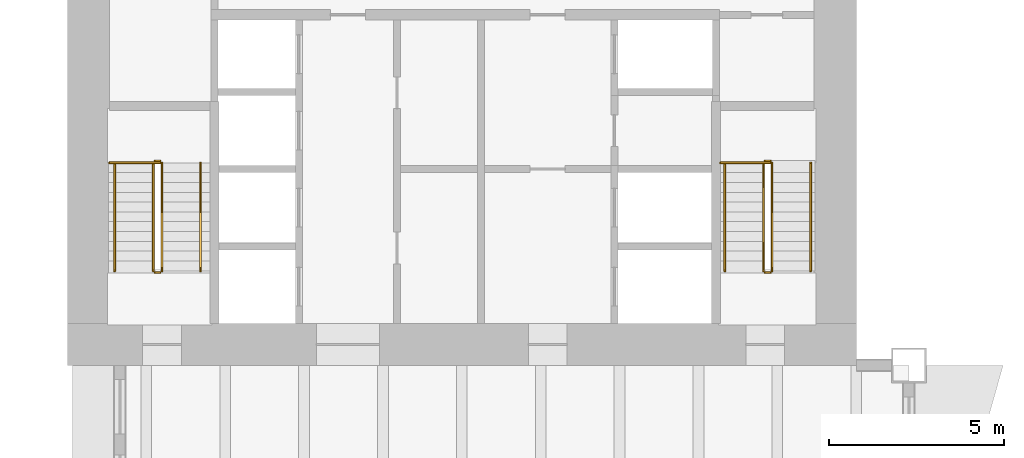
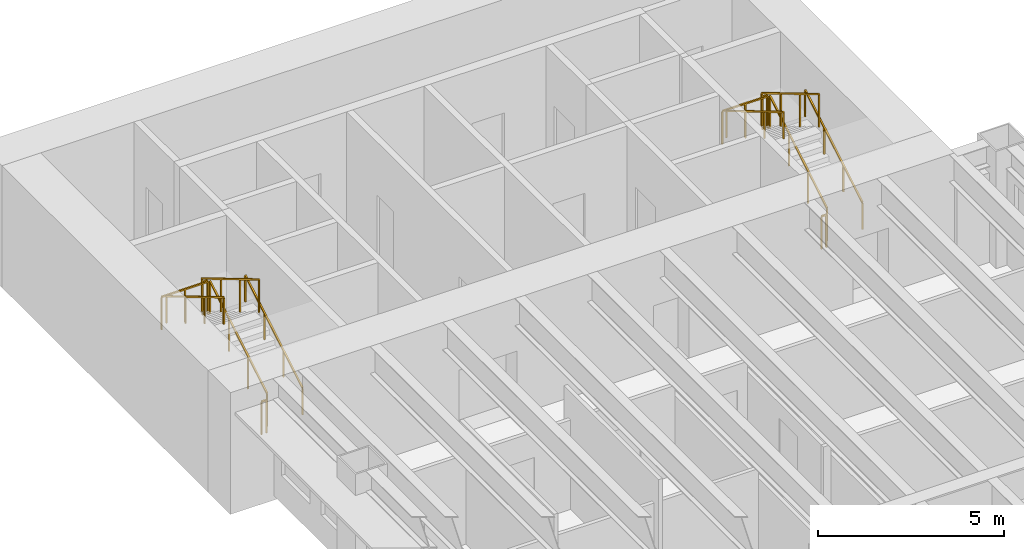
# One storey, part 16 of 16: 14 railings.
"""IFC4 building model written with IfcOpenShell, lengths in metres."""

from ifc_helpers import new_model, si_unit, direction, frame, origin, origin_2d, place, context, subcontext, project, spatial, rectangle, extrude, material, type_object, element, save


model = new_model("IFC4")

# Units and contexts
model_context = context("Model", 3, precision=1e-05, world=origin(), true_north=direction((0.0, 1.0)))
body_context = subcontext(model_context, "Body", "Model", "MODEL_VIEW")
ifc_project = project(units=[si_unit("LENGTHUNIT", "METRE"), si_unit("AREAUNIT", "SQUARE_METRE"), si_unit("VOLUMEUNIT", "CUBIC_METRE"), si_unit("PLANEANGLEUNIT", "RADIAN"), si_unit("MASSUNIT", "GRAM", prefix="KILO")], contexts=[model_context])

# Site, building, storey
site_placement = place(None, origin())
site = spatial("IfcSite", under=ifc_project, at=site_placement, CompositionType="ELEMENT")
building_placement = place(site_placement, origin())
building = spatial("IfcBuilding", under=site, at=building_placement, Name="Sennacour Bend Tower", CompositionType="ELEMENT")
storey_placement = place(building_placement, frame((0.0, 0.0, 87.0)))
storey = spatial("IfcBuildingStorey", under=building, at=storey_placement, Name="L19", CompositionType="ELEMENT", Elevation=87.0)

# Railings
ifc_material = material(Name="Stainless steel", Category="steel")
railing_type_1 = type_object("IfcRailingType", Name="RL-GUARD-1100", PredefinedType="GUARDRAIL", material=ifc_material)
railing_1_placement = place(storey_placement, frame((2.699951171875, 38.699951171875, 0.166748046875)))
element("IfcRailing", 1, at=railing_1_placement, inside=storey, type_object=railing_type_1, Name="L19 SB1 stair guard 1", PredefinedType="GUARDRAIL", context=body_context, shape_type="SweptSolid", body=[
    extrude(rectangle(XDim=0.048095703125, YDim=0.048095703125, at=origin_2d()), frame((0.0, 0.0, 1.076171875), z_axis=(0.0, 0.859308565015, 0.511457515432), x_axis=(-1.0, 0.0, 0.0)), (0.0, 0.0, 1.0), 3.58447265625),
    extrude(rectangle(XDim=0.0419921875, YDim=0.0419921875, at=origin_2d()), origin(), (0.0, 0.0, 1.0), 1.052001953125),
    extrude(rectangle(XDim=0.0419921875, YDim=0.0419921875, at=origin_2d()), frame((0.0, 1.026611328125, 0.611083984375)), (0.0, 0.0, 1.0), 1.052001953125),
    extrude(rectangle(XDim=0.0419921875, YDim=0.0419921875, at=origin_2d()), frame((0.0, 2.053466796875, 1.22216796875)), (0.0, 0.0, 1.0), 1.052001953125),
    extrude(rectangle(XDim=0.0419921875, YDim=0.0419921875, at=origin_2d()), frame((0.0, 3.080078125, 1.833251953125)), (0.0, 0.0, 1.0), 1.052001953125),
])
railing_2_placement = place(storey_placement, frame((2.64990234375, 41.830078125, 2.0)))
element("IfcRailing", 2, at=railing_2_placement, inside=storey, type_object=railing_type_1, Name="L19 SB1 stair guard 2", PredefinedType="GUARDRAIL", context=body_context, shape_type="SweptSolid", body=[
    extrude(rectangle(XDim=0.048095703125, YDim=0.048095703125, at=origin_2d()), frame((0.0, 0.0, 1.076171875), z_axis=(-1.0, 0.0, 0.0), x_axis=(0.0, -1.0, 0.0)), (0.0, 0.0, 1.0), 0.14990234375),
    extrude(rectangle(XDim=0.0419921875, YDim=0.0419921875, at=origin_2d()), origin(), (0.0, 0.0, 1.0), 1.052001953125),
    extrude(rectangle(XDim=0.0419921875, YDim=0.0419921875, at=origin_2d()), frame((-0.14990234375, 0.0, 0.0)), (0.0, 0.0, 1.0), 1.052001953125),
])
railing_3_placement = place(storey_placement, frame((2.449951171875, 41.780029296875, 2.166748046875)))
element("IfcRailing", 3, at=railing_3_placement, inside=storey, type_object=railing_type_1, Name="L19 SB1 stair guard 4", PredefinedType="GUARDRAIL", context=body_context, shape_type="SweptSolid", body=[
    extrude(rectangle(XDim=0.048095703125, YDim=0.048095703125, at=origin_2d()), frame((0.0, 0.0, 1.076171875), z_axis=(0.0, -0.859308565015, 0.511457515432), x_axis=(1.0, 0.0, 0.0)), (0.0, 0.0, 1.0), 3.58447265625),
    extrude(rectangle(XDim=0.0419921875, YDim=0.0419921875, at=origin_2d()), origin(), (0.0, 0.0, 1.0), 1.052001953125),
    extrude(rectangle(XDim=0.0419921875, YDim=0.0419921875, at=origin_2d()), frame((0.0, -1.026611328125, 0.611083984375)), (0.0, 0.0, 1.0), 1.052001953125),
    extrude(rectangle(XDim=0.0419921875, YDim=0.0419921875, at=origin_2d()), frame((0.0, -2.053466796875, 1.22216796875)), (0.0, 0.0, 1.0), 1.052001953125),
    extrude(rectangle(XDim=0.0419921875, YDim=0.0419921875, at=origin_2d()), frame((0.0, -3.080078125, 1.833251953125)), (0.0, 0.0, 1.0), 1.052001953125),
])
railing_4_placement = place(storey_placement, frame((2.64990234375, 38.64990234375, 0.0)))
element("IfcRailing", 4, at=railing_4_placement, inside=storey, type_object=railing_type_1, Name="L19 SB1 stair guard 5", PredefinedType="GUARDRAIL", context=body_context, shape_type="SweptSolid", body=[
    extrude(rectangle(XDim=0.048095703125, YDim=0.048095703125, at=origin_2d()), frame((0.0, 0.0, 1.076171875), z_axis=(-1.0, 0.0, 0.0), x_axis=(0.0, -1.0, 0.0)), (0.0, 0.0, 1.0), 0.14990234375),
    extrude(rectangle(XDim=0.0419921875, YDim=0.0419921875, at=origin_2d()), origin(), (0.0, 0.0, 1.0), 1.052001953125),
    extrude(rectangle(XDim=0.0419921875, YDim=0.0419921875, at=origin_2d()), frame((-0.14990234375, 0.0, 0.0)), (0.0, 0.0, 1.0), 1.052001953125),
])
railing_5_placement = place(storey_placement, frame((2.64990234375, 41.780029296875, 2.0)))
element("IfcRailing", 5, at=railing_5_placement, inside=storey, type_object=railing_type_1, Name="L19 SB1 landing edge guard 42", PredefinedType="GUARDRAIL", context=body_context, shape_type="SweptSolid", body=[
    extrude(rectangle(XDim=0.048095703125, YDim=0.048095703125, at=origin_2d()), frame((0.0, 0.0, 1.076171875), z_axis=(-1.0, 0.0, 0.0), x_axis=(0.0, -1.0, 0.0)), (0.0, 0.0, 1.0), 1.449951171875),
    extrude(rectangle(XDim=0.0419921875, YDim=0.0419921875, at=origin_2d()), origin(), (0.0, 0.0, 1.0), 1.052001953125),
    extrude(rectangle(XDim=0.0419921875, YDim=0.0419921875, at=origin_2d()), frame((-0.72509765625, 0.0, 0.0)), (0.0, 0.0, 1.0), 1.052001953125),
    extrude(rectangle(XDim=0.0419921875, YDim=0.0419921875, at=origin_2d()), frame((-1.449951171875, 0.0, 0.0)), (0.0, 0.0, 1.0), 1.052001953125),
])
railing_6_placement = place(storey_placement, frame((20.10009765625, 38.699951171875, 0.166748046875)))
element("IfcRailing", 6, at=railing_6_placement, inside=storey, type_object=railing_type_1, Name="L19 SB2 stair guard 1", PredefinedType="GUARDRAIL", context=body_context, shape_type="SweptSolid", body=[
    extrude(rectangle(XDim=0.048095703125, YDim=0.048095703125, at=origin_2d()), frame((0.0, 0.0, 1.076171875), z_axis=(0.0, 0.859308565015, 0.511457515432), x_axis=(-1.0, 0.0, 0.0)), (0.0, 0.0, 1.0), 3.58447265625),
    extrude(rectangle(XDim=0.0419921875, YDim=0.0419921875, at=origin_2d()), origin(), (0.0, 0.0, 1.0), 1.052001953125),
    extrude(rectangle(XDim=0.0419921875, YDim=0.0419921875, at=origin_2d()), frame((0.0, 1.026611328125, 0.611083984375)), (0.0, 0.0, 1.0), 1.052001953125),
    extrude(rectangle(XDim=0.0419921875, YDim=0.0419921875, at=origin_2d()), frame((0.0, 2.053466796875, 1.22216796875)), (0.0, 0.0, 1.0), 1.052001953125),
    extrude(rectangle(XDim=0.0419921875, YDim=0.0419921875, at=origin_2d()), frame((0.0, 3.080078125, 1.833251953125)), (0.0, 0.0, 1.0), 1.052001953125),
])
railing_7_placement = place(storey_placement, frame((20.050048828125, 41.830078125, 2.0)))
element("IfcRailing", 7, at=railing_7_placement, inside=storey, type_object=railing_type_1, Name="L19 SB2 stair guard 2", PredefinedType="GUARDRAIL", context=body_context, shape_type="SweptSolid", body=[
    extrude(rectangle(XDim=0.048095703125, YDim=0.048095703125, at=origin_2d()), frame((0.0, 0.0, 1.076171875), z_axis=(-1.0, 0.0, 0.0), x_axis=(0.0, -1.0, 0.0)), (0.0, 0.0, 1.0), 0.150146484375),
    extrude(rectangle(XDim=0.0419921875, YDim=0.0419921875, at=origin_2d()), origin(), (0.0, 0.0, 1.0), 1.052001953125),
    extrude(rectangle(XDim=0.0419921875, YDim=0.0419921875, at=origin_2d()), frame((-0.150146484375, 0.0, 0.0)), (0.0, 0.0, 1.0), 1.052001953125),
])
railing_8_placement = place(storey_placement, frame((19.85009765625, 41.780029296875, 2.166748046875)))
element("IfcRailing", 8, at=railing_8_placement, inside=storey, type_object=railing_type_1, Name="L19 SB2 stair guard 4", PredefinedType="GUARDRAIL", context=body_context, shape_type="SweptSolid", body=[
    extrude(rectangle(XDim=0.048095703125, YDim=0.048095703125, at=origin_2d()), frame((0.0, 0.0, 1.076171875), z_axis=(0.0, -0.859308565015, 0.511457515432), x_axis=(1.0, 0.0, 0.0)), (0.0, 0.0, 1.0), 3.58447265625),
    extrude(rectangle(XDim=0.0419921875, YDim=0.0419921875, at=origin_2d()), origin(), (0.0, 0.0, 1.0), 1.052001953125),
    extrude(rectangle(XDim=0.0419921875, YDim=0.0419921875, at=origin_2d()), frame((0.0, -1.026611328125, 0.611083984375)), (0.0, 0.0, 1.0), 1.052001953125),
    extrude(rectangle(XDim=0.0419921875, YDim=0.0419921875, at=origin_2d()), frame((0.0, -2.053466796875, 1.22216796875)), (0.0, 0.0, 1.0), 1.052001953125),
    extrude(rectangle(XDim=0.0419921875, YDim=0.0419921875, at=origin_2d()), frame((0.0, -3.080078125, 1.833251953125)), (0.0, 0.0, 1.0), 1.052001953125),
])
railing_9_placement = place(storey_placement, frame((20.050048828125, 38.64990234375, 0.0)))
element("IfcRailing", 9, at=railing_9_placement, inside=storey, type_object=railing_type_1, Name="L19 SB2 stair guard 5", PredefinedType="GUARDRAIL", context=body_context, shape_type="SweptSolid", body=[
    extrude(rectangle(XDim=0.048095703125, YDim=0.048095703125, at=origin_2d()), frame((0.0, 0.0, 1.076171875), z_axis=(-1.0, 0.0, 0.0), x_axis=(0.0, -1.0, 0.0)), (0.0, 0.0, 1.0), 0.150146484375),
    extrude(rectangle(XDim=0.0419921875, YDim=0.0419921875, at=origin_2d()), origin(), (0.0, 0.0, 1.0), 1.052001953125),
    extrude(rectangle(XDim=0.0419921875, YDim=0.0419921875, at=origin_2d()), frame((-0.150146484375, 0.0, 0.0)), (0.0, 0.0, 1.0), 1.052001953125),
])
railing_10_placement = place(storey_placement, frame((20.050048828125, 41.780029296875, 2.0)))
element("IfcRailing", 10, at=railing_10_placement, inside=storey, type_object=railing_type_1, Name="L19 SB2 landing edge guard 32", PredefinedType="GUARDRAIL", context=body_context, shape_type="SweptSolid", body=[
    extrude(rectangle(XDim=0.048095703125, YDim=0.048095703125, at=origin_2d()), frame((0.0, 0.0, 1.076171875), z_axis=(-1.0, 0.0, 0.0), x_axis=(0.0, -1.0, 0.0)), (0.0, 0.0, 1.0), 1.425048828125),
    extrude(rectangle(XDim=0.0419921875, YDim=0.0419921875, at=origin_2d()), origin(), (0.0, 0.0, 1.0), 1.052001953125),
    extrude(rectangle(XDim=0.0419921875, YDim=0.0419921875, at=origin_2d()), frame((-0.71240234375, 0.0, 0.0)), (0.0, 0.0, 1.0), 1.052001953125),
    extrude(rectangle(XDim=0.0419921875, YDim=0.0419921875, at=origin_2d()), frame((-1.425048828125, 0.0, 0.0)), (0.0, 0.0, 1.0), 1.052001953125),
])
railing_type_2 = type_object("IfcRailingType", Name="RL-HANDRAIL-900", PredefinedType="HANDRAIL", material=ifc_material)
railing_11_placement = place(storey_placement, frame((3.800048828125, 38.699951171875, 0.166748046875)))
element("IfcRailing", 11, at=railing_11_placement, inside=storey, type_object=railing_type_2, Name="L19 SB1 stair handrail 1", PredefinedType="HANDRAIL", context=body_context, shape_type="SweptSolid", body=[
    extrude(rectangle(XDim=0.048095703125, YDim=0.048095703125, at=origin_2d()), frame((0.0, 0.0, 0.8759765625), z_axis=(0.0, 0.859308565015, 0.511457515432), x_axis=(-1.0, 0.0, 0.0)), (0.0, 0.0, 1.0), 3.58447265625),
    extrude(rectangle(XDim=0.0419921875, YDim=0.0419921875, at=origin_2d()), origin(), (0.0, 0.0, 1.0), 0.851806640625),
    extrude(rectangle(XDim=0.0419921875, YDim=0.0419921875, at=origin_2d()), frame((0.0, 1.026611328125, 0.611083984375)), (0.0, 0.0, 1.0), 0.851806640625),
    extrude(rectangle(XDim=0.0419921875, YDim=0.0419921875, at=origin_2d()), frame((0.0, 2.053466796875, 1.22216796875)), (0.0, 0.0, 1.0), 0.851806640625),
    extrude(rectangle(XDim=0.0419921875, YDim=0.0419921875, at=origin_2d()), frame((0.0, 3.080078125, 1.833251953125)), (0.0, 0.0, 1.0), 0.851806640625),
])
railing_12_placement = place(storey_placement, frame((1.35009765625, 41.780029296875, 2.166748046875)))
element("IfcRailing", 12, at=railing_12_placement, inside=storey, type_object=railing_type_2, Name="L19 SB1 stair handrail 2", PredefinedType="HANDRAIL", context=body_context, shape_type="SweptSolid", body=[
    extrude(rectangle(XDim=0.048095703125, YDim=0.048095703125, at=origin_2d()), frame((0.0, 0.0, 0.8759765625), z_axis=(0.0, -0.859308565015, 0.511457515432), x_axis=(1.0, 0.0, 0.0)), (0.0, 0.0, 1.0), 3.58447265625),
    extrude(rectangle(XDim=0.0419921875, YDim=0.0419921875, at=origin_2d()), origin(), (0.0, 0.0, 1.0), 0.851806640625),
    extrude(rectangle(XDim=0.0419921875, YDim=0.0419921875, at=origin_2d()), frame((0.0, -1.026611328125, 0.611083984375)), (0.0, 0.0, 1.0), 0.851806640625),
    extrude(rectangle(XDim=0.0419921875, YDim=0.0419921875, at=origin_2d()), frame((0.0, -2.053466796875, 1.22216796875)), (0.0, 0.0, 1.0), 0.851806640625),
    extrude(rectangle(XDim=0.0419921875, YDim=0.0419921875, at=origin_2d()), frame((0.0, -3.080078125, 1.833251953125)), (0.0, 0.0, 1.0), 0.851806640625),
])
railing_13_placement = place(storey_placement, frame((21.199951171875, 38.699951171875, 0.166748046875)))
element("IfcRailing", 13, at=railing_13_placement, inside=storey, type_object=railing_type_2, Name="L19 SB2 stair handrail 1", PredefinedType="HANDRAIL", context=body_context, shape_type="SweptSolid", body=[
    extrude(rectangle(XDim=0.048095703125, YDim=0.048095703125, at=origin_2d()), frame((0.0, 0.0, 0.8759765625), z_axis=(0.0, 0.859308565015, 0.511457515432), x_axis=(-1.0, 0.0, 0.0)), (0.0, 0.0, 1.0), 3.58447265625),
    extrude(rectangle(XDim=0.0419921875, YDim=0.0419921875, at=origin_2d()), origin(), (0.0, 0.0, 1.0), 0.851806640625),
    extrude(rectangle(XDim=0.0419921875, YDim=0.0419921875, at=origin_2d()), frame((0.0, 1.026611328125, 0.611083984375)), (0.0, 0.0, 1.0), 0.851806640625),
    extrude(rectangle(XDim=0.0419921875, YDim=0.0419921875, at=origin_2d()), frame((0.0, 2.053466796875, 1.22216796875)), (0.0, 0.0, 1.0), 0.851806640625),
    extrude(rectangle(XDim=0.0419921875, YDim=0.0419921875, at=origin_2d()), frame((0.0, 3.080078125, 1.833251953125)), (0.0, 0.0, 1.0), 0.851806640625),
])
railing_14_placement = place(storey_placement, frame((18.75, 41.780029296875, 2.166748046875)))
element("IfcRailing", 14, at=railing_14_placement, inside=storey, type_object=railing_type_2, Name="L19 SB2 stair handrail 2", PredefinedType="HANDRAIL", context=body_context, shape_type="SweptSolid", body=[
    extrude(rectangle(XDim=0.048095703125, YDim=0.048095703125, at=origin_2d()), frame((0.0, 0.0, 0.8759765625), z_axis=(0.0, -0.859308565015, 0.511457515432), x_axis=(1.0, 0.0, 0.0)), (0.0, 0.0, 1.0), 3.58447265625),
    extrude(rectangle(XDim=0.0419921875, YDim=0.0419921875, at=origin_2d()), origin(), (0.0, 0.0, 1.0), 0.851806640625),
    extrude(rectangle(XDim=0.0419921875, YDim=0.0419921875, at=origin_2d()), frame((0.0, -1.026611328125, 0.611083984375)), (0.0, 0.0, 1.0), 0.851806640625),
    extrude(rectangle(XDim=0.0419921875, YDim=0.0419921875, at=origin_2d()), frame((0.0, -2.053466796875, 1.22216796875)), (0.0, 0.0, 1.0), 0.851806640625),
    extrude(rectangle(XDim=0.0419921875, YDim=0.0419921875, at=origin_2d()), frame((0.0, -3.080078125, 1.833251953125)), (0.0, 0.0, 1.0), 0.851806640625),
])

save(model, "model.ifc")
